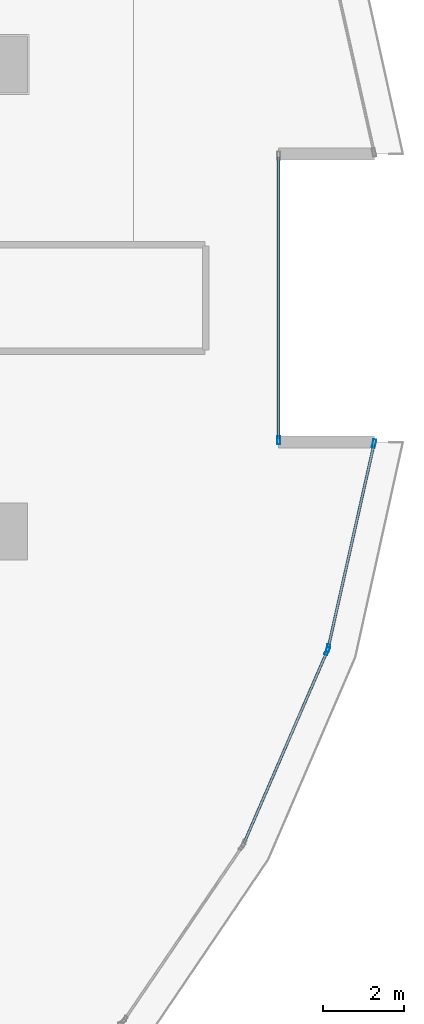
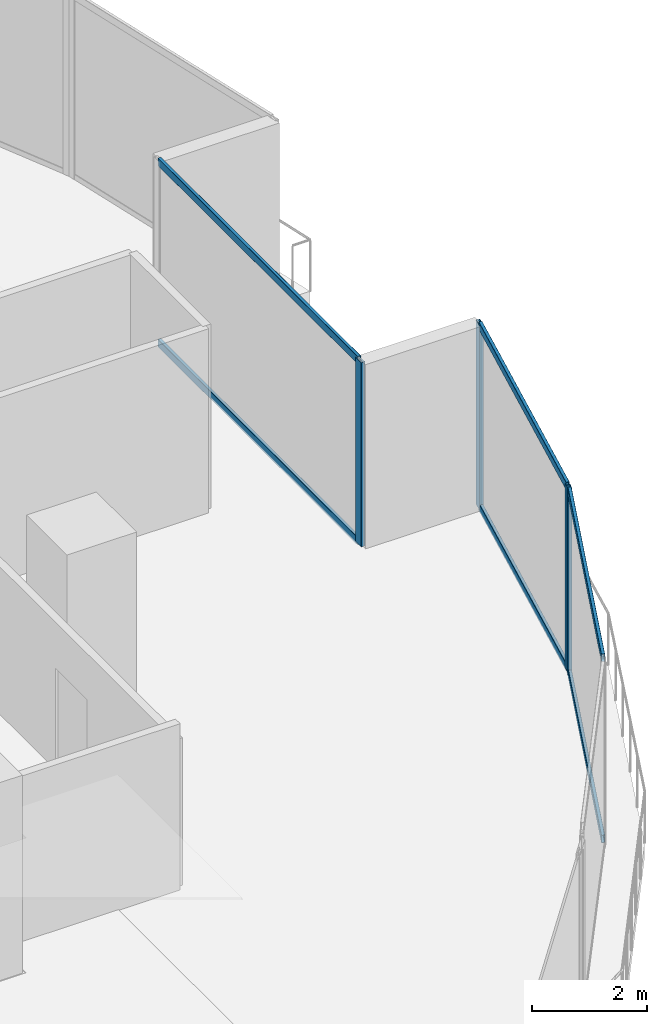
# One storey, part 10 of 27: 10 members, 3 elements without a shape of their own.
"""IFC4 building model written with IfcOpenShell, lengths in metres."""

from ifc_helpers import new_model, si_unit, direction, frame, origin, origin_2d, place, context, subcontext, project, spatial, hollow_rectangle, extrude, material, layer, layer_set, material_profile, profile_set, type_object, element, aggregate, save


model = new_model("IFC4")

# Units and contexts
model_context = context("Model", 3, precision=1e-05, world=origin(), true_north=direction((0.0, 1.0)))
body_context = subcontext(model_context, "Body", "Model", "MODEL_VIEW")
ifc_project = project(units=[si_unit("LENGTHUNIT", "METRE"), si_unit("AREAUNIT", "SQUARE_METRE"), si_unit("VOLUMEUNIT", "CUBIC_METRE"), si_unit("PLANEANGLEUNIT", "RADIAN"), si_unit("MASSUNIT", "GRAM", prefix="KILO")], contexts=[model_context])

# Site, building, storey
site_placement = place(None, origin())
site = spatial("IfcSite", under=ifc_project, at=site_placement, CompositionType="ELEMENT")
building_placement = place(site_placement, origin())
building = spatial("IfcBuilding", under=site, at=building_placement, Name="Qorvath Tower", CompositionType="ELEMENT")
storey_placement = place(building_placement, frame((0.0, 0.0, 293.39990234375)))
storey = spatial("IfcBuildingStorey", under=building, at=storey_placement, Name="L68", CompositionType="ELEMENT", Elevation=293.39990234375)

# Curtain wall, member
ifc_material_1 = material(Name="Anodised aluminium and triple low-E glass", Category="aluminium")
ifc_layer = layer(ifc_material_1, 0.179931640625)
ifc_layer_set = layer_set([ifc_layer], Name="CW-SYS-5")
curtain_wall_type = type_object("IfcCurtainWallType", Name="CW-SYS-5", PredefinedType="NOTDEFINED", material=ifc_layer_set)
curtain_wall_1_placement = place(storey_placement, origin())
curtain_wall_1 = element("IfcCurtainWall", 1, at=curtain_wall_1_placement, inside=storey, type_object=curtain_wall_type, Name="Curtain Wall CW-5 CW-T-L68-6.1", PredefinedType="NOTDEFINED")
ifc_material_2 = material(Name="Anodised aluminium 6063-T6", Category="aluminium")
ifc_material_profile_1 = material_profile(ifc_material_2, hollow_rectangle(XDim=0.074951171875, YDim=0.199951171875, WallThickness=0.00390625, InnerFilletRadius=0.00390625, OuterFilletRadius=0.008056640625, at=origin_2d()), Name="CWM 200x75")
ifc_profile_set_1 = profile_set([ifc_material_profile_1], Name="Anodised aluminium 6063-T6")
member_type_1 = type_object("IfcMemberType", Name="CWM-200", PredefinedType="MULLION", material=ifc_profile_set_1)
member_1_placement = place(storey_placement, frame((-4.007080078125, -8.704345703125, 0.0), z_axis=(0.0, 0.0, 1.0), x_axis=(-0.917571145356, 0.397571620227, 0.0)))
member_1 = element("IfcMember", 2, at=member_1_placement, type_object=member_type_1, Name="CW-5 mullion 2", PredefinedType="MULLION", context=body_context, shape_type="SweptSolid", body=[
    extrude(hollow_rectangle(XDim=0.074951171875, YDim=0.199951171875, WallThickness=0.00390625, InnerFilletRadius=0.00390625, OuterFilletRadius=0.008056640625, at=origin_2d()), origin(), (0.0, 0.0, 1.0), 3.91015625),
])

# Curtain wall, members
curtain_wall_2_placement = place(storey_placement, origin())
curtain_wall_2 = element("IfcCurtainWall", 3, at=curtain_wall_2_placement, inside=storey, type_object=curtain_wall_type, Name="Curtain Wall CW-5 CW-T-L68-7.1", PredefinedType="NOTDEFINED")
member_2_placement = place(storey_placement, frame((-3.98388671875, -8.63330078125, 0.0), z_axis=(0.0, 0.0, 1.0), x_axis=(-0.975664797236, 0.219267424471, 0.0)))
member_2 = element("IfcMember", 4, at=member_2_placement, type_object=member_type_1, Name="CW-5 mullion 1", PredefinedType="MULLION", context=body_context, shape_type="SweptSolid", body=[
    extrude(hollow_rectangle(XDim=0.074951171875, YDim=0.199951171875, WallThickness=0.00390625, InnerFilletRadius=0.00390625, OuterFilletRadius=0.008056640625, at=origin_2d()), origin(), (0.0, 0.0, 1.0), 3.91015625),
])
member_3_placement = place(storey_placement, frame((-2.849365234375, -3.58447265625, 0.0), z_axis=(0.0, 0.0, 1.0), x_axis=(-0.975664797236, 0.219267424471, 0.0)))
member_3 = element("IfcMember", 5, at=member_3_placement, type_object=member_type_1, Name="CW-5 mullion 2", PredefinedType="MULLION", context=body_context, shape_type="SweptSolid", body=[
    extrude(hollow_rectangle(XDim=0.074951171875, YDim=0.199951171875, WallThickness=0.00390625, InnerFilletRadius=0.00390625, OuterFilletRadius=0.008056640625, at=origin_2d()), origin(), (0.0, 0.0, 1.0), 3.91015625),
])

# Curtain wall, member
curtain_wall_3_placement = place(storey_placement, origin())
curtain_wall_3 = element("IfcCurtainWall", 6, at=curtain_wall_3_placement, inside=storey, type_object=curtain_wall_type, Name="Curtain Wall CW-5 CW-T-L68-9.1", PredefinedType="NOTDEFINED")
member_4_placement = place(storey_placement, frame((-5.206298828125, -3.510498046875, 0.0), z_axis=(0.0, 0.0, 1.0), x_axis=(-1.0, 0.0, 0.0)))
member_4 = element("IfcMember", 7, at=member_4_placement, type_object=member_type_1, Name="CW-5 mullion 1", PredefinedType="MULLION", context=body_context, shape_type="SweptSolid", body=[
    extrude(hollow_rectangle(XDim=0.074951171875, YDim=0.199951171875, WallThickness=0.00390625, InnerFilletRadius=0.00390625, OuterFilletRadius=0.008056640625, at=origin_2d()), origin(), (0.0, 0.0, 1.0), 3.91015625),
])

# Member
ifc_material_3 = material(Name="Anodised aluminium 6063-T6", Category="aluminium")
ifc_material_profile_2 = material_profile(ifc_material_3, hollow_rectangle(XDim=0.06494140625, YDim=0.159912109375, WallThickness=0.00341796875, InnerFilletRadius=0.00341796875, OuterFilletRadius=0.007080078125, at=origin_2d()), Name="CWT 160x65")
ifc_profile_set_2 = profile_set([ifc_material_profile_2], Name="Anodised aluminium 6063-T6")
member_type_2 = type_object("IfcMemberType", Name="CWT-160", PredefinedType="USERDEFINED", material=ifc_profile_set_2)
member_5_placement = place(storey_placement, frame((-6.049560546875, -13.41796875, 0.032470703125), z_axis=(0.397596689384, 0.91756028281, 0.0), x_axis=(-0.91756028281, 0.397596689384, 0.0)))
member_5 = element("IfcMember", 8, at=member_5_placement, type_object=member_type_2, Name="CW-5 transom 1.1", ObjectType="TRANSOM", PredefinedType="USERDEFINED", context=body_context, shape_type="SweptSolid", body=[
    extrude(hollow_rectangle(XDim=0.06494140625, YDim=0.159912109375, WallThickness=0.00341796875, InnerFilletRadius=0.00341796875, OuterFilletRadius=0.007080078125, at=origin_2d()), origin(), (0.0, 0.0, 1.0), 5.099609375),
])

member_6_placement = place(storey_placement, frame((-6.049560546875, -13.41796875, 3.877685546875), z_axis=(0.397596689384, 0.91756028281, 0.0), x_axis=(-0.91756028281, 0.397596689384, 0.0)))
member_6 = element("IfcMember", 9, at=member_6_placement, type_object=member_type_2, Name="CW-5 transom 1.2", ObjectType="TRANSOM", PredefinedType="USERDEFINED", context=body_context, shape_type="SweptSolid", body=[
    extrude(hollow_rectangle(XDim=0.06494140625, YDim=0.159912109375, WallThickness=0.00341796875, InnerFilletRadius=0.00341796875, OuterFilletRadius=0.007080078125, at=origin_2d()), origin(), (0.0, 0.0, 1.0), 5.099609375),
])

aggregate(curtain_wall_1, [member_1, member_5, member_6])

member_7_placement = place(storey_placement, frame((-3.975830078125, -8.5966796875, 0.032470703125), z_axis=(0.219261570029, 0.975666112924, 0.0), x_axis=(-0.975666112924, 0.219261570029, 0.0)))
member_7 = element("IfcMember", 10, at=member_7_placement, type_object=member_type_2, Name="CW-5 transom 1.1", ObjectType="TRANSOM", PredefinedType="USERDEFINED", context=body_context, shape_type="SweptSolid", body=[
    extrude(hollow_rectangle(XDim=0.06494140625, YDim=0.159912109375, WallThickness=0.00341796875, InnerFilletRadius=0.00341796875, OuterFilletRadius=0.007080078125, at=origin_2d()), origin(), (0.0, 0.0, 1.0), 5.099609375),
])

member_8_placement = place(storey_placement, frame((-3.975830078125, -8.5966796875, 3.877685546875), z_axis=(0.219261570029, 0.975666112924, 0.0), x_axis=(-0.975666112924, 0.219261570029, 0.0)))
member_8 = element("IfcMember", 11, at=member_8_placement, type_object=member_type_2, Name="CW-5 transom 1.2", ObjectType="TRANSOM", PredefinedType="USERDEFINED", context=body_context, shape_type="SweptSolid", body=[
    extrude(hollow_rectangle(XDim=0.06494140625, YDim=0.159912109375, WallThickness=0.00341796875, InnerFilletRadius=0.00341796875, OuterFilletRadius=0.007080078125, at=origin_2d()), origin(), (0.0, 0.0, 1.0), 5.099609375),
])

aggregate(curtain_wall_2, [member_2, member_3, member_7, member_8])

member_9_placement = place(storey_placement, frame((-5.206298828125, -3.472900390625, 0.032470703125), z_axis=(0.0, 1.0, 0.0), x_axis=(-1.0, 0.0, 0.0)))
member_9 = element("IfcMember", 12, at=member_9_placement, type_object=member_type_2, Name="CW-5 transom 1.1", ObjectType="TRANSOM", PredefinedType="USERDEFINED", context=body_context, shape_type="SweptSolid", body=[
    extrude(hollow_rectangle(XDim=0.06494140625, YDim=0.159912109375, WallThickness=0.00341796875, InnerFilletRadius=0.00341796875, OuterFilletRadius=0.007080078125, at=origin_2d()), origin(), (0.0, 0.0, 1.0), 6.94580078125),
])

member_10_placement = place(storey_placement, frame((-5.206298828125, -3.472900390625, 3.877685546875), z_axis=(0.0, 1.0, 0.0), x_axis=(-1.0, 0.0, 0.0)))
member_10 = element("IfcMember", 13, at=member_10_placement, type_object=member_type_2, Name="CW-5 transom 1.2", ObjectType="TRANSOM", PredefinedType="USERDEFINED", context=body_context, shape_type="SweptSolid", body=[
    extrude(hollow_rectangle(XDim=0.06494140625, YDim=0.159912109375, WallThickness=0.00341796875, InnerFilletRadius=0.00341796875, OuterFilletRadius=0.007080078125, at=origin_2d()), origin(), (0.0, 0.0, 1.0), 6.94580078125),
])

aggregate(curtain_wall_3, [member_4, member_9, member_10])

save(model, "model.ifc")
